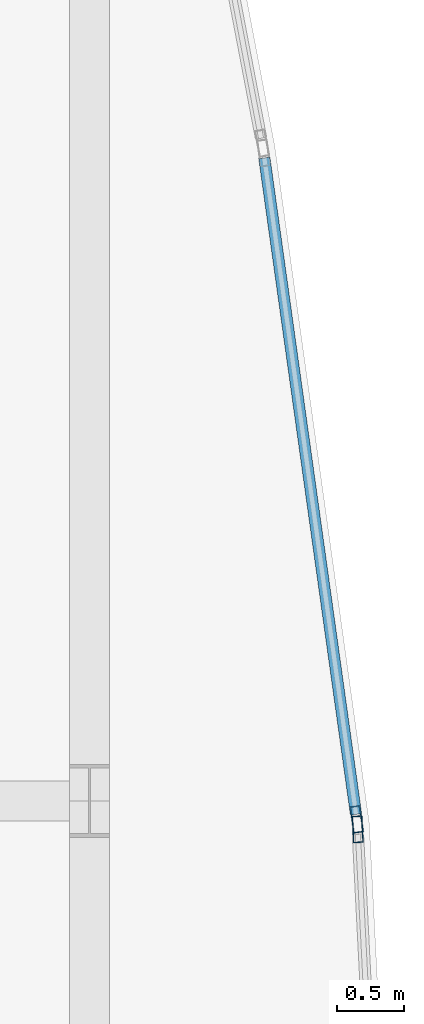
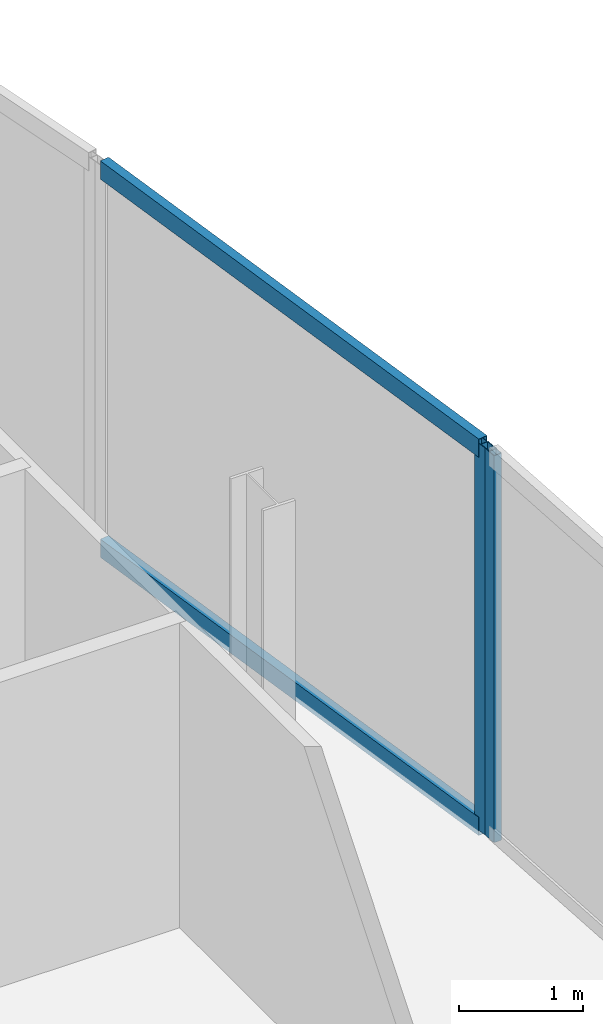
# One storey, part 24 of 37: 4 members, 2 elements without a shape of their own.
"""IFC4 building model written with IfcOpenShell, lengths in metres."""

from ifc_helpers import new_model, si_unit, direction, frame, origin, origin_2d, place, context, subcontext, project, spatial, hollow_rectangle, extrude, material, material_profile, profile_set, type_object, element, aggregate, save


model = new_model("IFC4")

# Units and contexts
model_context = context("Model", 3, precision=1e-05, world=origin(), true_north=direction((0.0, 1.0)))
body_context = subcontext(model_context, "Body", "Model", "MODEL_VIEW")
ifc_project = project(units=[si_unit("LENGTHUNIT", "METRE"), si_unit("AREAUNIT", "SQUARE_METRE"), si_unit("VOLUMEUNIT", "CUBIC_METRE"), si_unit("PLANEANGLEUNIT", "RADIAN"), si_unit("MASSUNIT", "GRAM", prefix="KILO")], contexts=[model_context])

# Site, building, storey
site_placement = place(None, origin())
site = spatial("IfcSite", under=ifc_project, at=site_placement, CompositionType="ELEMENT")
building_placement = place(site_placement, origin())
building = spatial("IfcBuilding", under=site, at=building_placement, Name="Khoronbel Lancet Exchange", CompositionType="ELEMENT")
storey_placement = place(building_placement, frame((0.0, 0.0, 45.800048828125)))
storey = spatial("IfcBuildingStorey", under=building, at=storey_placement, Name="L10", CompositionType="ELEMENT", Elevation=45.800048828125)

# Curtain wall, member
ifc_material_1 = material(Name="Low-E Solar Control Insulating Glass", Category="glass")
curtain_wall_type = type_object("IfcCurtainWallType", Name="CW-4", PredefinedType="NOTDEFINED", material=ifc_material_1)
curtain_wall_1_placement = place(storey_placement, origin())
curtain_wall_1 = element("IfcCurtainWall", 1, at=curtain_wall_1_placement, inside=storey, type_object=curtain_wall_type, Name="Unitised curtain wall CW-L10-E18", PredefinedType="NOTDEFINED")
ifc_material_2 = material(Name="Bronze-Anodised Aluminium 6063-T6", Category="aluminium")
ifc_material_profile_1 = material_profile(ifc_material_2, hollow_rectangle(XDim=0.074951171875, YDim=0.199951171875, WallThickness=0.0048828125, at=origin_2d()), Name="ALU MULLION 75x200")
ifc_profile_set_1 = profile_set([ifc_material_profile_1], Name="Bronze-Anodised Aluminium 6063-T6")
member_type_1 = type_object("IfcMemberType", Name="MEM-CWM2", PredefinedType="MULLION", material=ifc_profile_set_1)
member_1_placement = place(storey_placement, frame((73.635009765625, 35.56201171875, 0.0), z_axis=(0.0, 0.0, 1.0), x_axis=(0.990384767809, 0.138340202733, 0.0)))
member_1 = element("IfcMember", 2, at=member_1_placement, type_object=member_type_1, Name="CW4 mullion 2", PredefinedType="MULLION", context=body_context, shape_type="SweptSolid", body=[
    extrude(hollow_rectangle(XDim=0.074951171875, YDim=0.199951171875, WallThickness=0.0048828125, at=origin_2d()), origin(), (0.0, 0.0, 1.0), 3.820068359375),
])

curtain_wall_2_placement = place(storey_placement, origin())
curtain_wall_2 = element("IfcCurtainWall", 3, at=curtain_wall_2_placement, inside=storey, type_object=curtain_wall_type, Name="Unitised curtain wall CW-L10-E19", PredefinedType="NOTDEFINED")
member_2_placement = place(storey_placement, frame((73.642333984375, 35.4873046875, 0.0), z_axis=(0.0, 0.0, 1.0), x_axis=(0.998695163208, 0.051068297252, 0.0)))
member_2 = element("IfcMember", 4, at=member_2_placement, type_object=member_type_1, Name="CW4 mullion 1", PredefinedType="MULLION", context=body_context, shape_type="SweptSolid", body=[
    extrude(hollow_rectangle(XDim=0.074951171875, YDim=0.199951171875, WallThickness=0.0048828125, at=origin_2d()), origin(), (0.0, 0.0, 1.0), 3.820068359375),
])
aggregate(curtain_wall_2, [member_2])

# Member
ifc_material_profile_2 = material_profile(ifc_material_2, hollow_rectangle(XDim=0.0849609375, YDim=0.179931640625, WallThickness=0.0048828125, at=origin_2d()), Name="ALU TRANSOM 85x180")
ifc_profile_set_2 = profile_set([ifc_material_profile_2], Name="Bronze-Anodised Aluminium 6063-T6")
member_type_2 = type_object("IfcMemberType", Name="MEM-CWT1", PredefinedType="USERDEFINED", material=ifc_profile_set_2)
member_3_placement = place(storey_placement, frame((72.94140625, 40.52783203125, 0.04248046875), z_axis=(0.138343751113, -0.990384272153, 0.0), x_axis=(0.990384272153, 0.138343751113, 0.0)))
member_3 = element("IfcMember", 5, at=member_3_placement, type_object=member_type_2, Name="CW4 transom 1.1", ObjectType="TRANSOM", PredefinedType="USERDEFINED", context=body_context, shape_type="SweptSolid", body=[
    extrude(hollow_rectangle(XDim=0.0849609375, YDim=0.179931640625, WallThickness=0.0048828125, at=origin_2d()), origin(), (0.0, 0.0, 1.0), 4.9765625),
])

member_4_placement = place(storey_placement, frame((72.94140625, 40.52783203125, 3.77734375), z_axis=(0.138343751113, -0.990384272153, 0.0), x_axis=(0.990384272153, 0.138343751113, 0.0)))
member_4 = element("IfcMember", 6, at=member_4_placement, type_object=member_type_2, Name="CW4 transom 1.2", ObjectType="TRANSOM", PredefinedType="USERDEFINED", context=body_context, shape_type="SweptSolid", body=[
    extrude(hollow_rectangle(XDim=0.0849609375, YDim=0.179931640625, WallThickness=0.0048828125, at=origin_2d()), origin(), (0.0, 0.0, 1.0), 4.9765625),
])

aggregate(curtain_wall_1, [member_1, member_3, member_4])

save(model, "model.ifc")
